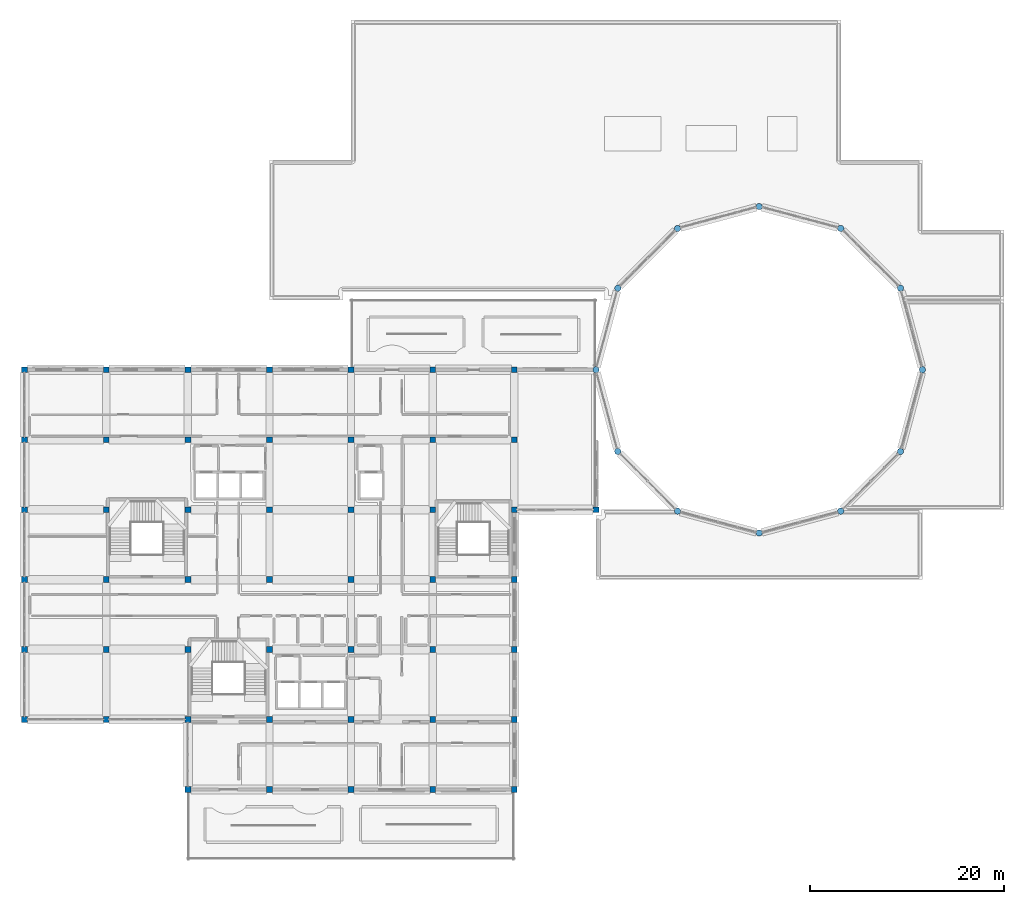
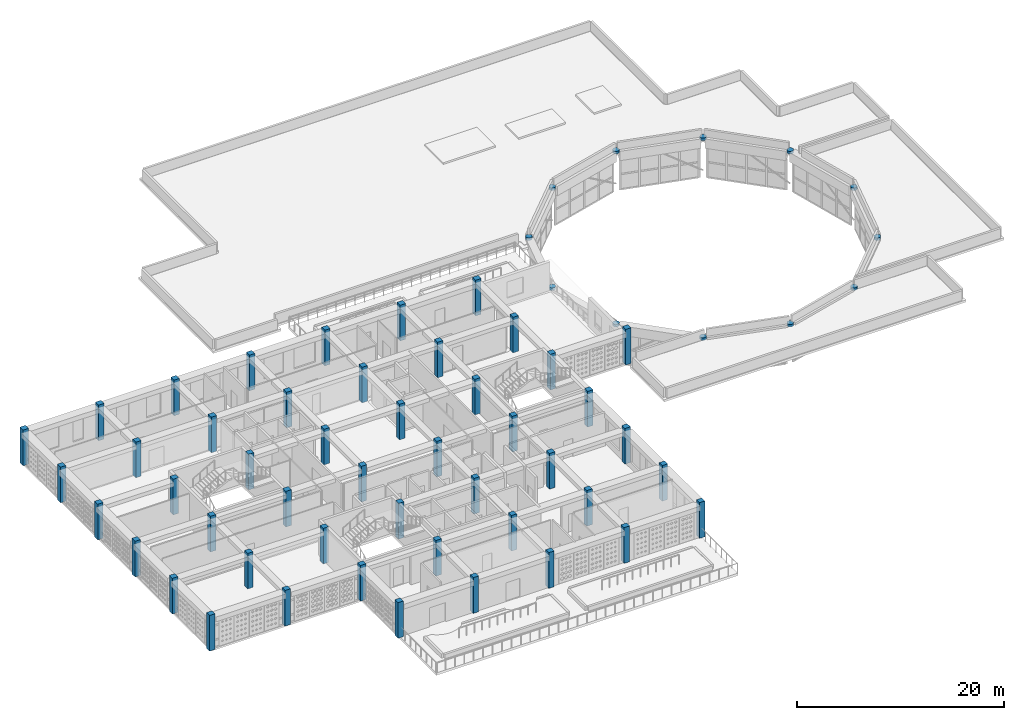
# One storey, part 1 of 48: 60 columns.
"""IFC4 building model written with IfcOpenShell, lengths in metres."""

from ifc_helpers import new_model, si_unit, derived_unit, direction, frame, origin, origin_2d, place, context, subcontext, project, spatial, rectangle, circle, extrude, material, material_profile, profile_set, type_object, element, save


model = new_model("IFC4")

# Units and contexts
model_context = context("Model", 3, precision=1e-05, world=origin(), true_north=direction((0.0, 1.0)))
body_context = subcontext(model_context, "Body", "Model", "MODEL_VIEW")
ifc_project = project(units=[si_unit("LENGTHUNIT", "METRE"), si_unit("AREAUNIT", "SQUARE_METRE"), si_unit("VOLUMEUNIT", "CUBIC_METRE"), si_unit("PLANEANGLEUNIT", "RADIAN"), si_unit("MASSUNIT", "GRAM", prefix="KILO"), derived_unit("THERMALTRANSMITTANCEUNIT", [(si_unit("POWERUNIT", "WATT"), 1), (si_unit("LENGTHUNIT", "METRE"), -2), (si_unit("THERMODYNAMICTEMPERATUREUNIT", "KELVIN"), -1)])], contexts=[model_context])

# Site, building, storey
site_placement = place(None, origin())
site = spatial("IfcSite", under=ifc_project, at=site_placement, CompositionType="ELEMENT")
building_placement = place(site_placement, origin())
building = spatial("IfcBuilding", under=site, at=building_placement, Name="Veybourne Emporium", CompositionType="ELEMENT")
storey_placement = place(building_placement, frame((0.0, 0.0, 27.89990234375)))
storey = spatial("IfcBuildingStorey", under=building, at=storey_placement, Name="L06", CompositionType="ELEMENT", Elevation=27.89990234375)

# Columns
ifc_material = material(Name="Concrete C40/50", Category="concrete")
ifc_material_profile_1 = material_profile(ifc_material, rectangle(XDim=0.60009765625, YDim=0.60009765625, at=origin_2d()), Name="RC 600x600")
ifc_profile_set_1 = profile_set([ifc_material_profile_1], Name="Concrete C40/50")
column_type_1 = type_object("IfcColumnType", Name="Col_C-06", PredefinedType="COLUMN", material=ifc_profile_set_1)
for number, where, z_axis, x_axis, name in (
    (1, (8.39990234375, 14.39990234375, 0.0), (0.0, 0.0, 1.0), (1.0, 0.0, 0.0), "Column C-06 L06 (1,2)"),
    (2, (8.39990234375, 21.60009765625, 0.0), (0.0, 0.0, 1.0), (1.0, 0.0, 0.0), "Column C-06 L06 (1,3)"),
    (3, (8.39990234375, 28.800048828125, 0.0), (0.0, 0.0, 1.0), (1.0, 0.0, 0.0), "Column C-06 L06 (1,4)"),
    (4, (8.39990234375, 36.0, 0.0), (0.0, 0.0, 1.0), (1.0, 0.0, 0.0), "Column C-06 L06 (1,5)"),
    (5, (8.39990234375, 43.199951171875, 0.0), (0.0, 0.0, 1.0), (1.0, 0.0, 0.0), "Column C-06 L06 (1,6)"),
    (6, (8.39990234375, 50.39990234375, 0.0), (0.0, 0.0, 1.0), (1.0, 0.0, 0.0), "Column C-06 L06 (1,7)"),
    (7, (16.800048828125, 7.199951171875, 0.0), (0.0, 0.0, 1.0), (1.0, 0.0, 0.0), "Column C-06 L06 (2,1)"),
    (8, (16.800048828125, 14.39990234375, 0.0), (0.0, 0.0, 1.0), (1.0, 0.0, 0.0), "Column C-06 L06 (2,2)"),
    (9, (16.800048828125, 21.60009765625, 0.0), (0.0, 0.0, 1.0), (1.0, 0.0, 0.0), "Column C-06 L06 (2,3)"),
    (10, (16.800048828125, 28.800048828125, 0.0), (0.0, 0.0, 1.0), (1.0, 0.0, 0.0), "Column C-06 L06 (2,4)"),
    (11, (16.800048828125, 36.0, 0.0), (0.0, 0.0, 1.0), (1.0, 0.0, 0.0), "Column C-06 L06 (2,5)"),
    (12, (16.800048828125, 43.199951171875, 0.0), (0.0, 0.0, 1.0), (1.0, 0.0, 0.0), "Column C-06 L06 (2,6)"),
    (13, (16.800048828125, 50.39990234375, 0.0), (0.0, 0.0, 1.0), (1.0, 0.0, 0.0), "Column C-06 L06 (2,7)"),
    (14, (25.199951171875, 7.199951171875, 0.0), (0.0, 0.0, 1.0), (1.0, 0.0, 0.0), "Column C-06 L06 (3,1)"),
    (15, (25.199951171875, 14.39990234375, 0.0), (0.0, 0.0, 1.0), (1.0, 0.0, 0.0), "Column C-06 L06 (3,2)"),
    (16, (25.199951171875, 21.60009765625, 0.0), (0.0, 0.0, 1.0), (1.0, 0.0, 0.0), "Column C-06 L06 (3,3)"),
    (17, (25.199951171875, 28.800048828125, 0.0), (0.0, 0.0, 1.0), (1.0, 0.0, 0.0), "Column C-06 L06 (3,4)"),
    (18, (25.199951171875, 36.0, 0.0), (0.0, 0.0, 1.0), (1.0, 0.0, 0.0), "Column C-06 L06 (3,5)"),
    (19, (25.199951171875, 43.199951171875, 0.0), (0.0, 0.0, 1.0), (1.0, 0.0, 0.0), "Column C-06 L06 (3,6)"),
    (20, (25.199951171875, 50.39990234375, 0.0), (0.0, 0.0, 1.0), (1.0, 0.0, 0.0), "Column C-06 L06 (3,7)"),
    (21, (33.60009765625, 7.199951171875, 0.0), (0.0, 0.0, 1.0), (1.0, 0.0, 0.0), "Column C-06 L06 (4,1)"),
    (22, (33.60009765625, 14.39990234375, 0.0), (0.0, 0.0, 1.0), (1.0, 0.0, 0.0), "Column C-06 L06 (4,2)"),
    (23, (33.60009765625, 21.60009765625, 0.0), (0.0, 0.0, 1.0), (1.0, 0.0, 0.0), "Column C-06 L06 (4,3)"),
    (24, (33.60009765625, 28.800048828125, 0.0), (0.0, 0.0, 1.0), (1.0, 0.0, 0.0), "Column C-06 L06 (4,4)"),
    (25, (33.60009765625, 36.0, 0.0), (0.0, 0.0, 1.0), (1.0, 0.0, 0.0), "Column C-06 L06 (4,5)"),
    (26, (33.60009765625, 43.199951171875, 0.0), (0.0, 0.0, 1.0), (1.0, 0.0, 0.0), "Column C-06 L06 (4,6)"),
    (27, (33.60009765625, 50.39990234375, 0.0), (0.0, 0.0, 1.0), (1.0, 0.0, 0.0), "Column C-06 L06 (4,7)"),
    (28, (42.0, 7.199951171875, 0.0), (0.0, 0.0, 1.0), (1.0, 0.0, 0.0), "Column C-06 L06 (5,1)"),
    (29, (42.0, 14.39990234375, 0.0), (0.0, 0.0, 1.0), (1.0, 0.0, 0.0), "Column C-06 L06 (5,2)"),
    (30, (42.0, 21.60009765625, 0.0), (0.0, 0.0, 1.0), (1.0, 0.0, 0.0), "Column C-06 L06 (5,3)"),
    (31, (42.0, 28.800048828125, 0.0), (0.0, 0.0, 1.0), (1.0, 0.0, 0.0), "Column C-06 L06 (5,4)"),
    (32, (42.0, 36.0, 0.0), (0.0, 0.0, 1.0), (1.0, 0.0, 0.0), "Column C-06 L06 (5,5)"),
    (33, (42.0, 43.199951171875, 0.0), (0.0, 0.0, 1.0), (1.0, 0.0, 0.0), "Column C-06 L06 (5,6)"),
    (34, (42.0, 50.39990234375, 0.0), (0.0, 0.0, 1.0), (1.0, 0.0, 0.0), "Column C-06 L06 (5,7)"),
    (35, (50.39990234375, 7.199951171875, 0.0), (0.0, 0.0, 1.0), (1.0, 0.0, 0.0), "Column C-06 L06 (6,1)"),
    (36, (50.39990234375, 14.39990234375, 0.0), (0.0, 0.0, 1.0), (1.0, 0.0, 0.0), "Column C-06 L06 (6,2)"),
    (37, (50.39990234375, 21.60009765625, 0.0), (0.0, 0.0, 1.0), (1.0, 0.0, 0.0), "Column C-06 L06 (6,3)"),
    (38, (50.39990234375, 28.800048828125, 0.0), (0.0, 0.0, 1.0), (1.0, 0.0, 0.0), "Column C-06 L06 (6,4)"),
    (39, (50.39990234375, 36.0, 0.0), (0.0, 0.0, 1.0), (1.0, 0.0, 0.0), "Column C-06 L06 (6,5)"),
    (40, (50.39990234375, 43.199951171875, 0.0), (0.0, 0.0, 1.0), (1.0, 0.0, 0.0), "Column C-06 L06 (6,6)"),
    (41, (50.39990234375, 50.39990234375, 0.0), (0.0, 0.0, 1.0), (1.0, 0.0, 0.0), "Column C-06 L06 (6,7)"),
    (42, (58.800048828125, 36.0, 0.0), (0.0, 0.0, 1.0), (1.0, 0.0, 0.0), "Column C-06 L06 (7,5)"),
):
    element("IfcColumn", number, at=place(storey_placement, frame(where, z_axis=z_axis, x_axis=x_axis)), inside=storey, type_object=column_type_1, Name=name, PredefinedType="COLUMN", context=body_context, shape_type="SweptSolid", body=[
        extrude(rectangle(XDim=0.60009765625, YDim=0.60009765625, at=origin_2d()), origin(), (0.0, 0.0, 1.0), 4.2001953125),
    ])
ifc_material_profile_2 = material_profile(ifc_material, circle(Radius=0.324951171875, at=origin_2d()), Name="RC D650")
ifc_profile_set_2 = profile_set([ifc_material_profile_2], Name="Concrete C40/50")
column_type_2 = type_object("IfcColumnType", Name="Col_CD-04", PredefinedType="COLUMN", material=ifc_profile_set_2)
for number, where, z_axis, x_axis, name in (
    (43, (92.39990234375, 50.39990234375, 0.0), (0.0, 0.0, 1.0), (1.0, 0.0, 0.0), "Atrium drum column CD-04 L06-01"),
    (44, (90.149169921875, 58.800048828125, 0.0), (0.0, 0.0, 1.0), (1.0, 0.0, 0.0), "Atrium drum column CD-04 L06-02"),
    (45, (84.0, 64.94921875, 0.0), (0.0, 0.0, 1.0), (1.0, 0.0, 0.0), "Atrium drum column CD-04 L06-03"),
    (46, (75.60009765625, 67.199951171875, 0.0), (0.0, 0.0, 1.0), (1.0, 0.0, 0.0), "Atrium drum column CD-04 L06-04"),
    (47, (67.199951171875, 64.94921875, 0.0), (0.0, 0.0, 1.0), (1.0, 0.0, 0.0), "Atrium drum column CD-04 L06-05"),
    (48, (61.05078125, 58.800048828125, 0.0), (0.0, 0.0, 1.0), (1.0, 0.0, 0.0), "Atrium drum column CD-04 L06-06"),
    (49, (58.800048828125, 50.39990234375, 0.0), (0.0, 0.0, 1.0), (1.0, 0.0, 0.0), "Atrium drum column CD-04 L06-07"),
    (50, (61.05078125, 42.0, 0.0), (0.0, 0.0, 1.0), (1.0, 0.0, 0.0), "Atrium drum column CD-04 L06-08"),
    (51, (67.199951171875, 35.850830078125, 0.0), (0.0, 0.0, 1.0), (1.0, 0.0, 0.0), "Atrium drum column CD-04 L06-09"),
    (52, (75.60009765625, 33.60009765625, 0.0), (0.0, 0.0, 1.0), (1.0, 0.0, 0.0), "Atrium drum column CD-04 L06-10"),
    (53, (84.0, 35.850830078125, 0.0), (0.0, 0.0, 1.0), (1.0, 0.0, 0.0), "Atrium drum column CD-04 L06-11"),
    (54, (90.149169921875, 42.0, 0.0), (0.0, 0.0, 1.0), (1.0, 0.0, 0.0), "Atrium drum column CD-04 L06-12"),
):
    element("IfcColumn", number, at=place(storey_placement, frame(where, z_axis=z_axis, x_axis=x_axis)), inside=storey, type_object=column_type_2, Name=name, PredefinedType="COLUMN", context=body_context, shape_type="SweptSolid", body=[
        extrude(circle(Radius=0.324951171875, at=origin_2d()), origin(), (0.0, 0.0, 1.0), 0.300048828125),
    ])
ifc_material_profile_3 = material_profile(ifc_material, rectangle(XDim=0.60009765625, YDim=0.60009765625, at=origin_2d()), Name="RC 600x600")
ifc_profile_set_3 = profile_set([ifc_material_profile_3], Name="Concrete C40/50")
column_type_3 = type_object("IfcColumnType", Name="Col_CE-06", PredefinedType="COLUMN", material=ifc_profile_set_3)
for number, where, z_axis, x_axis, name in (
    (55, (0.0, 14.39990234375, 0.0), (0.0, 0.0, 1.0), (1.0, 0.0, 0.0), "Column CE-06 L06 (0,2)"),
    (56, (0.0, 21.60009765625, 0.0), (0.0, 0.0, 1.0), (1.0, 0.0, 0.0), "Column CE-06 L06 (0,3)"),
    (57, (0.0, 28.800048828125, 0.0), (0.0, 0.0, 1.0), (1.0, 0.0, 0.0), "Column CE-06 L06 (0,4)"),
    (58, (0.0, 36.0, 0.0), (0.0, 0.0, 1.0), (1.0, 0.0, 0.0), "Column CE-06 L06 (0,5)"),
    (59, (0.0, 43.199951171875, 0.0), (0.0, 0.0, 1.0), (1.0, 0.0, 0.0), "Column CE-06 L06 (0,6)"),
    (60, (0.0, 50.39990234375, 0.0), (0.0, 0.0, 1.0), (1.0, 0.0, 0.0), "Column CE-06 L06 (0,7)"),
):
    element("IfcColumn", number, at=place(storey_placement, frame(where, z_axis=z_axis, x_axis=x_axis)), inside=storey, type_object=column_type_3, Name=name, PredefinedType="COLUMN", context=body_context, shape_type="SweptSolid", body=[
        extrude(rectangle(XDim=0.60009765625, YDim=0.60009765625, at=origin_2d()), origin(), (0.0, 0.0, 1.0), 4.2001953125),
    ])

save(model, "model.ifc")
